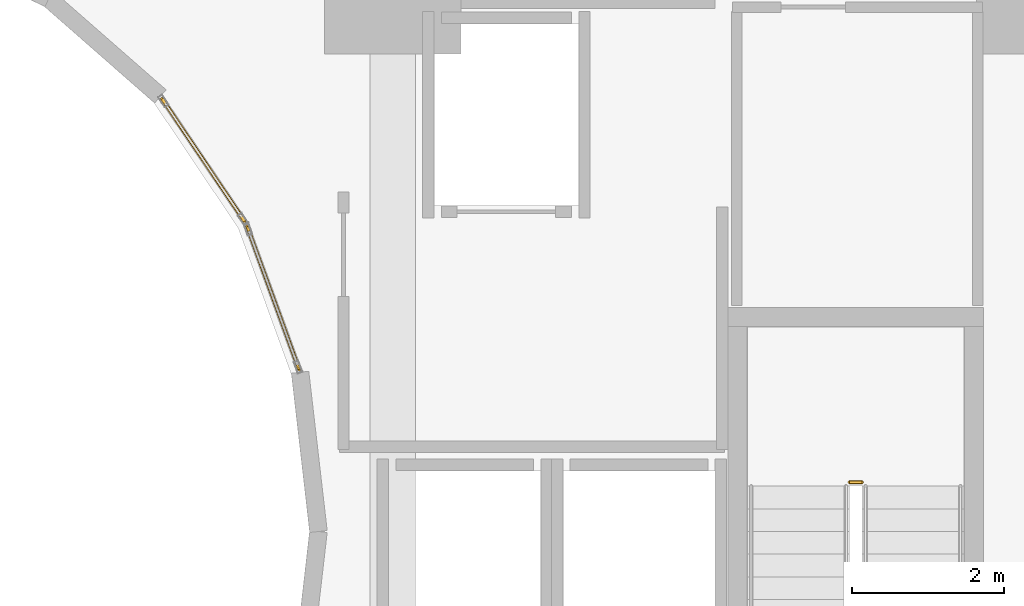
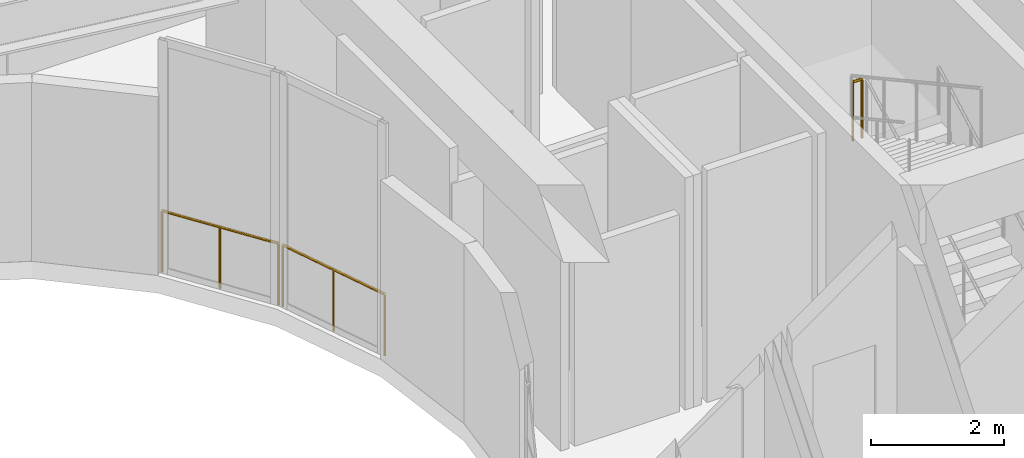
# One storey, part 23 of 25: 3 railings.
"""IFC4 building model written with IfcOpenShell, lengths in metres."""

import ifcopenshell
import ifcopenshell.guid

model = None  # the IFC model being written
_history = None  # IfcOwnerHistory: only IFC2X3 demands one
_inside = {}  # id of a spatial element -> (the spatial element, [elements in it])
_under = {}  # id of a project, library or spatial element -> (it, [spatial elements below it])
_declared = {}  # id of a project -> (the project, [libraries it declares])
_typed = {}  # id of a type object -> (the type object, [elements of that type])
_made_of = {}  # id of a material, layer set ... -> (it, [elements and type objects made of it])


def new_model(schema):
    """Start an empty IFC model of exactly this schema.

    Asked for "IFC4X3", IfcOpenShell would pick the latest addendum, in which some entities
    have other attributes; the version numbers below select the first issue.
    IFC2X3 requires an IfcOwnerHistory on every rooted entity: one is made here for all.
    """
    global model, _history
    if schema == "IFC4X3":
        model = ifcopenshell.file(schema_version=(4, 3, 0, 0))
    else:
        model = ifcopenshell.file(schema=schema)
    _inside.clear()
    _under.clear()
    _declared.clear()
    _typed.clear()
    _made_of.clear()
    _history = None
    if model.schema == "IFC2X3":
        org = make("IfcOrganization", Name="unknown")
        user = make(
            "IfcPersonAndOrganization",
            ThePerson=make("IfcPerson", FamilyName="unknown"),
            TheOrganization=org,
        )
        app = make(
            "IfcApplication",
            ApplicationDeveloper=org,
            Version="unknown",
            ApplicationFullName="unknown",
            ApplicationIdentifier="unknown",
        )
        _history = make(
            "IfcOwnerHistory",
            OwningUser=user,
            OwningApplication=app,
            ChangeAction="ADDED",
            CreationDate=0,
        )
    return model


def make(cls, **values):
    """One entity of the class cls with the attributes given. An attribute that is None is left unset."""
    return model.create_entity(
        cls, **{name: value for name, value in values.items() if value is not None}
    )


def rooted(cls, **values):
    """An entity with a GlobalId (a new one), such as an element, a storey or a relation."""
    return make(cls, GlobalId=ifcopenshell.guid.new(), OwnerHistory=_history, **values)


def si_unit(unit_type, name, prefix=None):
    """IfcSIUnit, for example si_unit("LENGTHUNIT", "METRE", prefix="MILLI")."""
    return make("IfcSIUnit", UnitType=unit_type, Prefix=prefix, Name=name)


def assignment(units):
    """IfcUnitAssignment: the units of a project."""
    return None if units is None else make("IfcUnitAssignment", Units=units)


def point(xyz):
    """IfcCartesianPoint."""
    return None if xyz is None else make("IfcCartesianPoint", Coordinates=xyz)


def direction(xyz):
    """IfcDirection."""
    return None if xyz is None else make("IfcDirection", DirectionRatios=xyz)


def frame(location, z_axis=None, x_axis=None):
    """IfcAxis2Placement3D, a coordinate frame: its origin and axes. An axis left out is left unset."""
    return make(
        "IfcAxis2Placement3D",
        Location=point(location),
        Axis=direction(z_axis),
        RefDirection=direction(x_axis),
    )


def frame_2d(location, x_axis=None):
    """IfcAxis2Placement2D, a coordinate frame in the plane: its origin and x axis."""
    return make(
        "IfcAxis2Placement2D", Location=point(location), RefDirection=direction(x_axis)
    )


def origin():
    """The frame at (0, 0, 0) with its axes left unset."""
    return frame((0.0, 0.0, 0.0))


def origin_2d():
    """The frame at (0, 0) in the plane with its x axis left unset."""
    return frame_2d((0.0, 0.0))


def place(relative_to, where):
    """IfcLocalPlacement: puts the frame where relative to a parent placement (None: the world)."""
    return make(
        "IfcLocalPlacement", PlacementRelTo=relative_to, RelativePlacement=where
    )


def context(
    kind, dimensions, precision=None, world=None, true_north=None, identifier=None
):
    """IfcGeometricRepresentationContext, for example the 3D "Model" context."""
    return make(
        "IfcGeometricRepresentationContext",
        ContextIdentifier=identifier,
        ContextType=kind,
        CoordinateSpaceDimension=dimensions,
        Precision=precision,
        WorldCoordinateSystem=world,
        TrueNorth=true_north,
    )


def subcontext(parent, identifier, kind, view, scale=None):
    """IfcGeometricRepresentationSubContext, for example "Body" below "Model"."""
    return make(
        "IfcGeometricRepresentationSubContext",
        ContextIdentifier=identifier,
        ContextType=kind,
        ParentContext=parent,
        TargetScale=scale,
        TargetView=view,
    )


def project(units=None, contexts=None):
    """IfcProject with its units and contexts."""
    return rooted(
        "IfcProject",
        Name="project",
        RepresentationContexts=contexts,
        UnitsInContext=assignment(units),
    )


def spatial(cls, under=None, at=None, **own):
    """A site, building, storey or space (cls), placed at a placement, below another one or the project."""
    s = rooted(cls, ObjectPlacement=at, **own)
    if under is not None:
        _under.setdefault(under.id(), (under, []))[1].append(s)
    return s


def profile(cls, at=None, kind="AREA", **sizes):
    """A parametric profile (cls). Its sizes go by their IFC names, for example OverallWidth=200.0."""
    return make(cls, ProfileType=kind, Position=at, **sizes)


def circle(**sizes):
    """IfcCircleProfileDef."""
    return profile("IfcCircleProfileDef", **sizes)


def extrude(swept, where, along, depth):
    """IfcExtrudedAreaSolid: the profile swept, set in the frame where, extruded along a direction by depth."""
    return make(
        "IfcExtrudedAreaSolid",
        SweptArea=swept,
        Position=where,
        ExtrudedDirection=direction(along),
        Depth=depth,
    )


def shape(context_of_items, identifier, shape_type, items):
    """IfcShapeRepresentation: the items that make up one representation, for example the "Body"."""
    return make(
        "IfcShapeRepresentation",
        ContextOfItems=context_of_items,
        RepresentationIdentifier=identifier,
        RepresentationType=shape_type,
        Items=items,
    )


def material(Name=None, Category=None):
    """IfcMaterial."""
    return make("IfcMaterial", Name=Name, Category=Category)


def made_of(thing, what):
    """Note that an element or type object is made of a material, layer set ...; save() writes the relation."""
    if what is not None:
        _made_of.setdefault(what.id(), (what, []))[1].append(thing)
    return thing


def type_object(cls, material=None, **own):
    """A type object (cls), such as IfcWallType, which elements share."""
    return made_of(rooted(cls, **own), material)


def element(
    cls,
    number,
    at=None,
    inside=None,
    cuts=None,
    type_object=None,
    material=None,
    context=None,
    identifier="Body",
    shape_type=None,
    held_by="IfcProductDefinitionShape",
    body=None,
    shapes=None,
    **own,
):
    """One element of the class cls, such as IfcWall. Its Tag is "e" and its number.

    at: its placement. inside: the storey or other place that contains it. cuts: it is an
    opening in that element (IfcRelVoidsElement). A single representation is given by context,
    identifier, shape_type and body (its items); several are given by shapes. held_by: the class
    of the entity that holds the representations. save() writes the other relations.
    """
    e = rooted(cls, Tag="e%d" % number, ObjectPlacement=at, **own)
    if body is not None:
        shapes = [shape(context, identifier, shape_type, body)]
    if shapes is not None:
        e.Representation = make(held_by, Representations=shapes)
    if inside is not None:
        _inside.setdefault(inside.id(), (inside, []))[1].append(e)
    if cuts is not None:
        rooted(
            "IfcRelVoidsElement", RelatingBuildingElement=cuts, RelatedOpeningElement=e
        )
    if type_object is not None:
        _typed.setdefault(type_object.id(), (type_object, []))[1].append(e)
    return made_of(e, material)


def aggregate(whole, parts):
    """IfcRelAggregates: a whole, such as a stair, and the parts it consists of."""
    return rooted("IfcRelAggregates", RelatingObject=whole, RelatedObjects=parts)


def save(model, path):
    """Write the relations noted so far, then the file.

    IfcRelAggregates (storeys below a building ...), IfcRelContainedInSpatialStructure (elements
    in a storey), IfcRelDefinesByType, IfcRelAssociatesMaterial and IfcRelDeclares: one each for
    every whole, place, type object, material and project.
    """
    for whole, parts in _under.values():
        aggregate(whole, parts)
    for where, things in _inside.values():
        rooted(
            "IfcRelContainedInSpatialStructure",
            RelatedElements=things,
            RelatingStructure=where,
        )
    for kind, things in _typed.values():
        rooted("IfcRelDefinesByType", RelatedObjects=things, RelatingType=kind)
    for what, things in _made_of.values():
        rooted("IfcRelAssociatesMaterial", RelatedObjects=things, RelatingMaterial=what)
    for by, libraries in _declared.values():
        rooted("IfcRelDeclares", RelatingContext=by, RelatedDefinitions=libraries)
    model.write(path)


model = new_model("IFC4")

# Units and contexts
model_context = context("Model", 3, precision=1e-05, world=origin(), true_north=direction((0.0, 1.0)))
body_context = subcontext(model_context, "Body", "Model", "MODEL_VIEW")
ifc_project = project(units=[si_unit("LENGTHUNIT", "METRE"), si_unit("AREAUNIT", "SQUARE_METRE"), si_unit("VOLUMEUNIT", "CUBIC_METRE"), si_unit("PLANEANGLEUNIT", "RADIAN"), si_unit("MASSUNIT", "GRAM", prefix="KILO")], contexts=[model_context])

# Site, building, storey
site_placement = place(None, origin())
site = spatial("IfcSite", under=ifc_project, at=site_placement, CompositionType="ELEMENT")
building_placement = place(site_placement, origin())
building = spatial("IfcBuilding", under=site, at=building_placement, Name="Solvane Sanctuary Tower", CompositionType="ELEMENT")
storey_placement = place(building_placement, frame((0.0, 0.0, 4.60009765625)))
storey = spatial("IfcBuildingStorey", under=building, at=storey_placement, Name="L02", CompositionType="ELEMENT", Elevation=4.60009765625)

# Railings
ifc_material = material(Name="Architectural Stainless Steel 316", Category="steel")
railing_type_1 = type_object("IfcRailingType", Name="Railing GR-BALC-1150", PredefinedType="BALUSTRADE", material=ifc_material)
railing_1_placement = place(storey_placement, frame((46.2900390625, 23.64990234375, 2.2998046875)))
element("IfcRailing", 1, at=railing_1_placement, inside=storey, type_object=railing_type_1, Name="L02 ST-2 stair guard 2", PredefinedType="BALUSTRADE", context=body_context, shape_type="SweptSolid", body=[
    extrude(circle(Radius=0.02392578125, at=origin_2d()), frame((0.0, 0.0, 1.076171875), z_axis=(-1.0, 0.0, 0.0), x_axis=(0.0, -1.0, 0.0)), (0.0, 0.0, 1.0), 0.16015625),
    extrude(circle(Radius=0.02099609375, at=origin_2d()), origin(), (0.0, 0.0, 1.0), 1.052001953125),
    extrude(circle(Radius=0.02099609375, at=origin_2d()), frame((-0.16015625, 0.0, 0.0)), (0.0, 0.0, 1.0), 1.052001953125),
])
railing_type_2 = type_object("IfcRailingType", Name="Railing GR-WELL-1150", PredefinedType="GUARDRAIL", material=ifc_material)
railing_2_placement = place(storey_placement, frame((38.86376953125, 25.13916015625, 0.0)))
element("IfcRailing", 2, at=railing_2_placement, inside=storey, type_object=railing_type_2, Name="L02 Light-Well Sill Guard 01", PredefinedType="GUARDRAIL", context=body_context, shape_type="SweptSolid", body=[
    extrude(circle(Radius=0.02392578125, at=origin_2d()), frame((0.0, 0.0, 1.1259765625), z_axis=(-0.341410413021, 0.9399143205, 0.0), x_axis=(-0.9399143205, -0.341410413021, 0.0)), (0.0, 0.0, 1.0), 2.003662109375),
    extrude(circle(Radius=0.02099609375, at=origin_2d()), origin(), (0.0, 0.0, 1.0), 1.101806640625),
    extrude(circle(Radius=0.02099609375, at=origin_2d()), frame((-0.342041015625, 0.941650390625, 0.0)), (0.0, 0.0, 1.0), 1.101806640625),
    extrude(circle(Radius=0.02099609375, at=origin_2d()), frame((-0.68408203125, 1.88330078125, 0.0)), (0.0, 0.0, 1.0), 1.101806640625),
])
railing_3_placement = place(storey_placement, frame((38.143798828125, 27.09326171875, 0.0)))
element("IfcRailing", 3, at=railing_3_placement, inside=storey, type_object=railing_type_2, Name="L02 Light-Well Sill Guard 02", PredefinedType="GUARDRAIL", context=body_context, shape_type="SweptSolid", body=[
    extrude(circle(Radius=0.02392578125, at=origin_2d()), frame((0.0, 0.0, 1.1259765625), z_axis=(-0.558283423748, 0.829650299083, 0.0), x_axis=(-0.829650299083, -0.558283423748, 0.0)), (0.0, 0.0, 1.0), 1.94677734375),
    extrude(circle(Radius=0.02099609375, at=origin_2d()), origin(), (0.0, 0.0, 1.0), 1.101806640625),
    extrude(circle(Radius=0.02099609375, at=origin_2d()), frame((-0.54345703125, 0.8076171875, 0.0)), (0.0, 0.0, 1.0), 1.101806640625),
    extrude(circle(Radius=0.02099609375, at=origin_2d()), frame((-1.0869140625, 1.615234375, 0.0)), (0.0, 0.0, 1.0), 1.101806640625),
])

save(model, "model.ifc")
